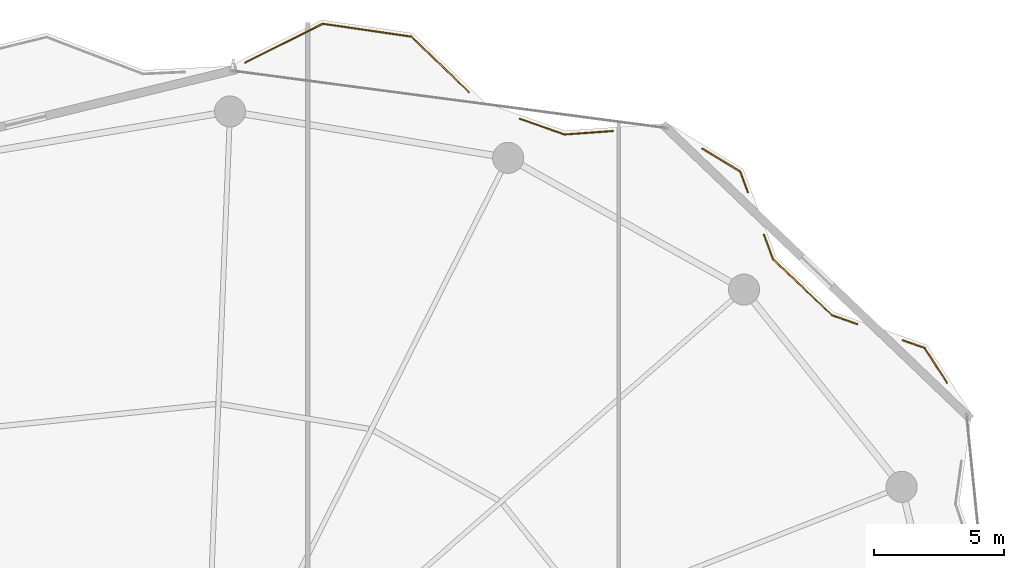
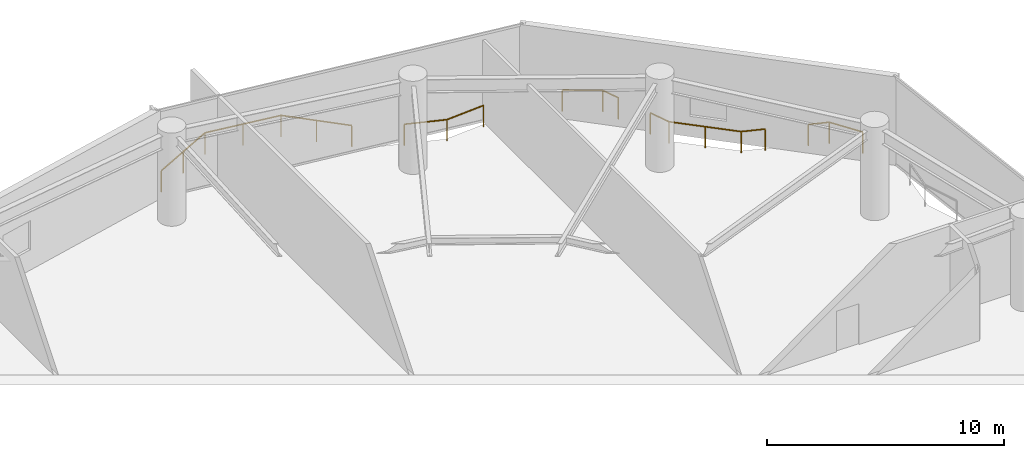
# One storey, part 30 of 30: 5 railings.
"""IFC4 building model written with IfcOpenShell, lengths in metres."""

import ifcopenshell
import ifcopenshell.guid

model = None  # the IFC model being written
_history = None  # IfcOwnerHistory: only IFC2X3 demands one
_inside = {}  # id of a spatial element -> (the spatial element, [elements in it])
_under = {}  # id of a project, library or spatial element -> (it, [spatial elements below it])
_declared = {}  # id of a project -> (the project, [libraries it declares])
_typed = {}  # id of a type object -> (the type object, [elements of that type])
_made_of = {}  # id of a material, layer set ... -> (it, [elements and type objects made of it])


def new_model(schema):
    """Start an empty IFC model of exactly this schema.

    Asked for "IFC4X3", IfcOpenShell would pick the latest addendum, in which some entities
    have other attributes; the version numbers below select the first issue.
    IFC2X3 requires an IfcOwnerHistory on every rooted entity: one is made here for all.
    """
    global model, _history
    if schema == "IFC4X3":
        model = ifcopenshell.file(schema_version=(4, 3, 0, 0))
    else:
        model = ifcopenshell.file(schema=schema)
    _inside.clear()
    _under.clear()
    _declared.clear()
    _typed.clear()
    _made_of.clear()
    _history = None
    if model.schema == "IFC2X3":
        org = make("IfcOrganization", Name="unknown")
        user = make(
            "IfcPersonAndOrganization",
            ThePerson=make("IfcPerson", FamilyName="unknown"),
            TheOrganization=org,
        )
        app = make(
            "IfcApplication",
            ApplicationDeveloper=org,
            Version="unknown",
            ApplicationFullName="unknown",
            ApplicationIdentifier="unknown",
        )
        _history = make(
            "IfcOwnerHistory",
            OwningUser=user,
            OwningApplication=app,
            ChangeAction="ADDED",
            CreationDate=0,
        )
    return model


def make(cls, **values):
    """One entity of the class cls with the attributes given. An attribute that is None is left unset."""
    return model.create_entity(
        cls, **{name: value for name, value in values.items() if value is not None}
    )


def rooted(cls, **values):
    """An entity with a GlobalId (a new one), such as an element, a storey or a relation."""
    return make(cls, GlobalId=ifcopenshell.guid.new(), OwnerHistory=_history, **values)


def si_unit(unit_type, name, prefix=None):
    """IfcSIUnit, for example si_unit("LENGTHUNIT", "METRE", prefix="MILLI")."""
    return make("IfcSIUnit", UnitType=unit_type, Prefix=prefix, Name=name)


def assignment(units):
    """IfcUnitAssignment: the units of a project."""
    return None if units is None else make("IfcUnitAssignment", Units=units)


def point(xyz):
    """IfcCartesianPoint."""
    return None if xyz is None else make("IfcCartesianPoint", Coordinates=xyz)


def direction(xyz):
    """IfcDirection."""
    return None if xyz is None else make("IfcDirection", DirectionRatios=xyz)


def frame(location, z_axis=None, x_axis=None):
    """IfcAxis2Placement3D, a coordinate frame: its origin and axes. An axis left out is left unset."""
    return make(
        "IfcAxis2Placement3D",
        Location=point(location),
        Axis=direction(z_axis),
        RefDirection=direction(x_axis),
    )


def frame_2d(location, x_axis=None):
    """IfcAxis2Placement2D, a coordinate frame in the plane: its origin and x axis."""
    return make(
        "IfcAxis2Placement2D", Location=point(location), RefDirection=direction(x_axis)
    )


def origin():
    """The frame at (0, 0, 0) with its axes left unset."""
    return frame((0.0, 0.0, 0.0))


def origin_2d():
    """The frame at (0, 0) in the plane with its x axis left unset."""
    return frame_2d((0.0, 0.0))


def place(relative_to, where):
    """IfcLocalPlacement: puts the frame where relative to a parent placement (None: the world)."""
    return make(
        "IfcLocalPlacement", PlacementRelTo=relative_to, RelativePlacement=where
    )


def context(
    kind, dimensions, precision=None, world=None, true_north=None, identifier=None
):
    """IfcGeometricRepresentationContext, for example the 3D "Model" context."""
    return make(
        "IfcGeometricRepresentationContext",
        ContextIdentifier=identifier,
        ContextType=kind,
        CoordinateSpaceDimension=dimensions,
        Precision=precision,
        WorldCoordinateSystem=world,
        TrueNorth=true_north,
    )


def subcontext(parent, identifier, kind, view, scale=None):
    """IfcGeometricRepresentationSubContext, for example "Body" below "Model"."""
    return make(
        "IfcGeometricRepresentationSubContext",
        ContextIdentifier=identifier,
        ContextType=kind,
        ParentContext=parent,
        TargetScale=scale,
        TargetView=view,
    )


def project(units=None, contexts=None):
    """IfcProject with its units and contexts."""
    return rooted(
        "IfcProject",
        Name="project",
        RepresentationContexts=contexts,
        UnitsInContext=assignment(units),
    )


def spatial(cls, under=None, at=None, **own):
    """A site, building, storey or space (cls), placed at a placement, below another one or the project."""
    s = rooted(cls, ObjectPlacement=at, **own)
    if under is not None:
        _under.setdefault(under.id(), (under, []))[1].append(s)
    return s


def profile(cls, at=None, kind="AREA", **sizes):
    """A parametric profile (cls). Its sizes go by their IFC names, for example OverallWidth=200.0."""
    return make(cls, ProfileType=kind, Position=at, **sizes)


def rectangle(**sizes):
    """IfcRectangleProfileDef."""
    return profile("IfcRectangleProfileDef", **sizes)


def extrude(swept, where, along, depth):
    """IfcExtrudedAreaSolid: the profile swept, set in the frame where, extruded along a direction by depth."""
    return make(
        "IfcExtrudedAreaSolid",
        SweptArea=swept,
        Position=where,
        ExtrudedDirection=direction(along),
        Depth=depth,
    )


def shape(context_of_items, identifier, shape_type, items):
    """IfcShapeRepresentation: the items that make up one representation, for example the "Body"."""
    return make(
        "IfcShapeRepresentation",
        ContextOfItems=context_of_items,
        RepresentationIdentifier=identifier,
        RepresentationType=shape_type,
        Items=items,
    )


def material(Name=None, Category=None):
    """IfcMaterial."""
    return make("IfcMaterial", Name=Name, Category=Category)


def made_of(thing, what):
    """Note that an element or type object is made of a material, layer set ...; save() writes the relation."""
    if what is not None:
        _made_of.setdefault(what.id(), (what, []))[1].append(thing)
    return thing


def type_object(cls, material=None, **own):
    """A type object (cls), such as IfcWallType, which elements share."""
    return made_of(rooted(cls, **own), material)


def element(
    cls,
    number,
    at=None,
    inside=None,
    cuts=None,
    type_object=None,
    material=None,
    context=None,
    identifier="Body",
    shape_type=None,
    held_by="IfcProductDefinitionShape",
    body=None,
    shapes=None,
    **own,
):
    """One element of the class cls, such as IfcWall. Its Tag is "e" and its number.

    at: its placement. inside: the storey or other place that contains it. cuts: it is an
    opening in that element (IfcRelVoidsElement). A single representation is given by context,
    identifier, shape_type and body (its items); several are given by shapes. held_by: the class
    of the entity that holds the representations. save() writes the other relations.
    """
    e = rooted(cls, Tag="e%d" % number, ObjectPlacement=at, **own)
    if body is not None:
        shapes = [shape(context, identifier, shape_type, body)]
    if shapes is not None:
        e.Representation = make(held_by, Representations=shapes)
    if inside is not None:
        _inside.setdefault(inside.id(), (inside, []))[1].append(e)
    if cuts is not None:
        rooted(
            "IfcRelVoidsElement", RelatingBuildingElement=cuts, RelatedOpeningElement=e
        )
    if type_object is not None:
        _typed.setdefault(type_object.id(), (type_object, []))[1].append(e)
    return made_of(e, material)


def aggregate(whole, parts):
    """IfcRelAggregates: a whole, such as a stair, and the parts it consists of."""
    return rooted("IfcRelAggregates", RelatingObject=whole, RelatedObjects=parts)


def save(model, path):
    """Write the relations noted so far, then the file.

    IfcRelAggregates (storeys below a building ...), IfcRelContainedInSpatialStructure (elements
    in a storey), IfcRelDefinesByType, IfcRelAssociatesMaterial and IfcRelDeclares: one each for
    every whole, place, type object, material and project.
    """
    for whole, parts in _under.values():
        aggregate(whole, parts)
    for where, things in _inside.values():
        rooted(
            "IfcRelContainedInSpatialStructure",
            RelatedElements=things,
            RelatingStructure=where,
        )
    for kind, things in _typed.values():
        rooted("IfcRelDefinesByType", RelatedObjects=things, RelatingType=kind)
    for what, things in _made_of.values():
        rooted("IfcRelAssociatesMaterial", RelatedObjects=things, RelatingMaterial=what)
    for by, libraries in _declared.values():
        rooted("IfcRelDeclares", RelatingContext=by, RelatedDefinitions=libraries)
    model.write(path)


model = new_model("IFC4")

# Units and contexts
model_context = context("Model", 3, precision=1e-05, world=origin(), true_north=direction((0.0, 1.0)))
body_context = subcontext(model_context, "Body", "Model", "MODEL_VIEW")
ifc_project = project(units=[si_unit("LENGTHUNIT", "METRE"), si_unit("AREAUNIT", "SQUARE_METRE"), si_unit("VOLUMEUNIT", "CUBIC_METRE"), si_unit("PLANEANGLEUNIT", "RADIAN"), si_unit("MASSUNIT", "GRAM", prefix="KILO")], contexts=[model_context])

# Site, building, storey
site_placement = place(None, origin())
site = spatial("IfcSite", under=ifc_project, at=site_placement, CompositionType="ELEMENT")
building_placement = place(site_placement, origin())
building = spatial("IfcBuilding", under=site, at=building_placement, Name="Kazevale Care Tower and Concert Hall", CompositionType="ELEMENT")
storey_placement = place(building_placement, frame((0.0, 0.0, 97.800048828125)))
storey = spatial("IfcBuildingStorey", under=building, at=storey_placement, Name="L25", CompositionType="ELEMENT", Elevation=97.800048828125)

# Railings
ifc_material = material(Name="Anodised Bronze Aluminium and Laminated Glass", Category="aluminium")
railing_type = type_object("IfcRailingType", Name="Balcony and Terrace Balustrade 1120", PredefinedType="BALUSTRADE", material=ifc_material)
railing_1_placement = place(storey_placement, frame((45.58203125, 63.3349609375, 0.0)))
element("IfcRailing", 1, at=railing_1_placement, inside=storey, type_object=railing_type, Name="rail:L25:perim:6", PredefinedType="BALUSTRADE", context=body_context, shape_type="SweptSolid", body=[
    extrude(rectangle(XDim=0.048095703125, YDim=0.048095703125, at=origin_2d()), frame((0.0, 0.0, 1.09619140625), z_axis=(0.894295970648, 0.447475940003, 0.0), x_axis=(-0.447475940003, 0.894295970648, 0.0)), (0.0, 0.0, 1.0), 3.349853515625),
    extrude(rectangle(XDim=0.048095703125, YDim=0.048095703125, at=origin_2d()), frame((2.995849609375, 1.4990234375, 1.09619140625), z_axis=(0.989614943685, -0.143743741553, 0.0), x_axis=(0.143743741553, 0.989614943685, 0.0)), (0.0, 0.0, 1.0), 3.4580078125),
    extrude(rectangle(XDim=0.048095703125, YDim=0.048095703125, at=origin_2d()), frame((6.41796875, 1.001953125, 1.09619140625), z_axis=(0.719198097767, -0.694805077823, 0.0), x_axis=(0.694805077823, 0.719198097767, 0.0)), (0.0, 0.0, 1.0), 3.082763671875),
    extrude(rectangle(XDim=0.0419921875, YDim=0.0419921875, at=origin_2d()), origin(), (0.0, 0.0, 1.0), 1.072021484375),
    extrude(rectangle(XDim=0.0419921875, YDim=0.0419921875, at=origin_2d()), frame((1.498046875, 0.74951171875, 0.0)), (0.0, 0.0, 1.0), 1.072021484375),
    extrude(rectangle(XDim=0.0419921875, YDim=0.0419921875, at=origin_2d()), frame((2.995849609375, 1.4990234375, 0.0)), (0.0, 0.0, 1.0), 1.072021484375),
    extrude(rectangle(XDim=0.0419921875, YDim=0.0419921875, at=origin_2d()), frame((4.70703125, 1.25048828125, 0.0)), (0.0, 0.0, 1.0), 1.072021484375),
    extrude(rectangle(XDim=0.0419921875, YDim=0.0419921875, at=origin_2d()), frame((6.41796875, 1.001953125, 0.0)), (0.0, 0.0, 1.0), 1.072021484375),
    extrude(rectangle(XDim=0.0419921875, YDim=0.0419921875, at=origin_2d()), frame((7.5263671875, -0.06884765625, 0.0)), (0.0, 0.0, 1.0), 1.072021484375),
    extrude(rectangle(XDim=0.0419921875, YDim=0.0419921875, at=origin_2d()), frame((8.635009765625, -1.139892578125, 0.0)), (0.0, 0.0, 1.0), 1.072021484375),
])
railing_2_placement = place(storey_placement, frame((56.177001953125, 61.169921875, 0.0)))
element("IfcRailing", 2, at=railing_2_placement, inside=storey, type_object=railing_type, Name="rail:L25:perim:7", PredefinedType="BALUSTRADE", context=body_context, shape_type="SweptSolid", body=[
    extrude(rectangle(XDim=0.048095703125, YDim=0.048095703125, at=origin_2d()), frame((0.0, 0.0, 1.09619140625), z_axis=(0.943845924202, -0.330385943054, 0.0), x_axis=(0.330385943054, 0.943845924202, 0.0)), (0.0, 0.0, 1.0), 1.837158203125),
    extrude(rectangle(XDim=0.048095703125, YDim=0.048095703125, at=origin_2d()), frame((1.73388671875, -0.60693359375, 1.09619140625), z_axis=(0.997446044484, 0.071424003974, 0.0), x_axis=(-0.071424003974, 0.997446044484, 0.0)), (0.0, 0.0, 1.0), 1.86279296875),
    extrude(rectangle(XDim=0.0419921875, YDim=0.0419921875, at=origin_2d()), origin(), (0.0, 0.0, 1.0), 1.072021484375),
    extrude(rectangle(XDim=0.0419921875, YDim=0.0419921875, at=origin_2d()), frame((1.73388671875, -0.60693359375, 0.0)), (0.0, 0.0, 1.0), 1.072021484375),
    extrude(rectangle(XDim=0.0419921875, YDim=0.0419921875, at=origin_2d()), frame((3.592041015625, -0.473876953125, 0.0)), (0.0, 0.0, 1.0), 1.072021484375),
])
railing_3_placement = place(storey_placement, frame((63.218017578125, 60.02001953125, 0.0)))
element("IfcRailing", 3, at=railing_3_placement, inside=storey, type_object=railing_type, Name="rail:L25:perim:8", PredefinedType="BALUSTRADE", context=body_context, shape_type="SweptSolid", body=[
    extrude(rectangle(XDim=0.048095703125, YDim=0.048095703125, at=origin_2d()), frame((0.0, 0.0, 1.09619140625), z_axis=(0.855004324382, -0.518620868542, 0.0), x_axis=(0.518620868542, 0.855004324382, 0.0)), (0.0, 0.0, 1.0), 1.712158203125),
    extrude(rectangle(XDim=0.048095703125, YDim=0.048095703125, at=origin_2d()), frame((1.4638671875, -0.887939453125, 1.09619140625), z_axis=(0.350274461478, -0.936647106245, 0.0), x_axis=(0.936647106245, 0.350274461478, 0.0)), (0.0, 0.0, 1.0), 0.85107421875),
    extrude(rectangle(XDim=0.0419921875, YDim=0.0419921875, at=origin_2d()), origin(), (0.0, 0.0, 1.0), 1.072021484375),
    extrude(rectangle(XDim=0.0419921875, YDim=0.0419921875, at=origin_2d()), frame((1.4638671875, -0.887939453125, 0.0)), (0.0, 0.0, 1.0), 1.072021484375),
    extrude(rectangle(XDim=0.0419921875, YDim=0.0419921875, at=origin_2d()), frame((1.761962890625, -1.68505859375, 0.0)), (0.0, 0.0, 1.0), 1.072021484375),
])
railing_4_placement = place(storey_placement, frame((65.593994140625, 56.696044921875, 0.0)))
element("IfcRailing", 4, at=railing_4_placement, inside=storey, type_object=railing_type, Name="rail:L25:perim:9", PredefinedType="BALUSTRADE", context=body_context, shape_type="SweptSolid", body=[
    extrude(rectangle(XDim=0.048095703125, YDim=0.048095703125, at=origin_2d()), frame((0.0, 0.0, 1.09619140625), z_axis=(0.35059921424, -0.936525595472, 0.0), x_axis=(0.936525595472, 0.35059921424, 0.0)), (0.0, 0.0, 1.0), 1.020751953125),
    extrude(rectangle(XDim=0.048095703125, YDim=0.048095703125, at=origin_2d()), frame((0.35791015625, -0.9560546875, 1.09619140625), z_axis=(0.726387325624, -0.687285568867, 0.0), x_axis=(0.687285568867, 0.726387325624, 0.0)), (0.0, 0.0, 1.0), 3.128173828125),
    extrude(rectangle(XDim=0.048095703125, YDim=0.048095703125, at=origin_2d()), frame((2.630126953125, -3.10595703125, 1.09619140625), z_axis=(0.942764361148, -0.333459681743, 0.0), x_axis=(0.333459681743, 0.942764361148, 0.0)), (0.0, 0.0, 1.0), 1.0380859375),
    extrude(rectangle(XDim=0.0419921875, YDim=0.0419921875, at=origin_2d()), origin(), (0.0, 0.0, 1.0), 1.072021484375),
    extrude(rectangle(XDim=0.0419921875, YDim=0.0419921875, at=origin_2d()), frame((0.35791015625, -0.9560546875, 0.0)), (0.0, 0.0, 1.0), 1.072021484375),
    extrude(rectangle(XDim=0.0419921875, YDim=0.0419921875, at=origin_2d()), frame((1.494140625, -2.031005859375, 0.0)), (0.0, 0.0, 1.0), 1.072021484375),
    extrude(rectangle(XDim=0.0419921875, YDim=0.0419921875, at=origin_2d()), frame((2.630126953125, -3.10595703125, 0.0)), (0.0, 0.0, 1.0), 1.072021484375),
    extrude(rectangle(XDim=0.0419921875, YDim=0.0419921875, at=origin_2d()), frame((3.60888671875, -3.4521484375, 0.0)), (0.0, 0.0, 1.0), 1.072021484375),
])
railing_5_placement = place(storey_placement, frame((70.947021484375, 52.626953125, 0.0)))
element("IfcRailing", 5, at=railing_5_placement, inside=storey, type_object=railing_type, Name="rail:L25:perim:11", PredefinedType="BALUSTRADE", context=body_context, shape_type="SweptSolid", body=[
    extrude(rectangle(XDim=0.048095703125, YDim=0.048095703125, at=origin_2d()), frame((0.0, 0.0, 1.09619140625), z_axis=(0.94312106056, -0.332449492598, 0.0), x_axis=(0.332449492598, 0.94312106056, 0.0)), (0.0, 0.0, 1.0), 0.89599609375),
    extrude(rectangle(XDim=0.048095703125, YDim=0.048095703125, at=origin_2d()), frame((0.844970703125, -0.2978515625, 1.09619140625), z_axis=(0.542760428635, -0.839887562182, 0.0), x_axis=(0.839887562182, 0.542760428635, 0.0)), (0.0, 0.0, 1.0), 1.58837890625),
    extrude(rectangle(XDim=0.0419921875, YDim=0.0419921875, at=origin_2d()), origin(), (0.0, 0.0, 1.0), 1.072021484375),
    extrude(rectangle(XDim=0.0419921875, YDim=0.0419921875, at=origin_2d()), frame((0.844970703125, -0.2978515625, 0.0)), (0.0, 0.0, 1.0), 1.072021484375),
    extrude(rectangle(XDim=0.0419921875, YDim=0.0419921875, at=origin_2d()), frame((1.70703125, -1.6318359375, 0.0)), (0.0, 0.0, 1.0), 1.072021484375),
])

save(model, "model.ifc")
